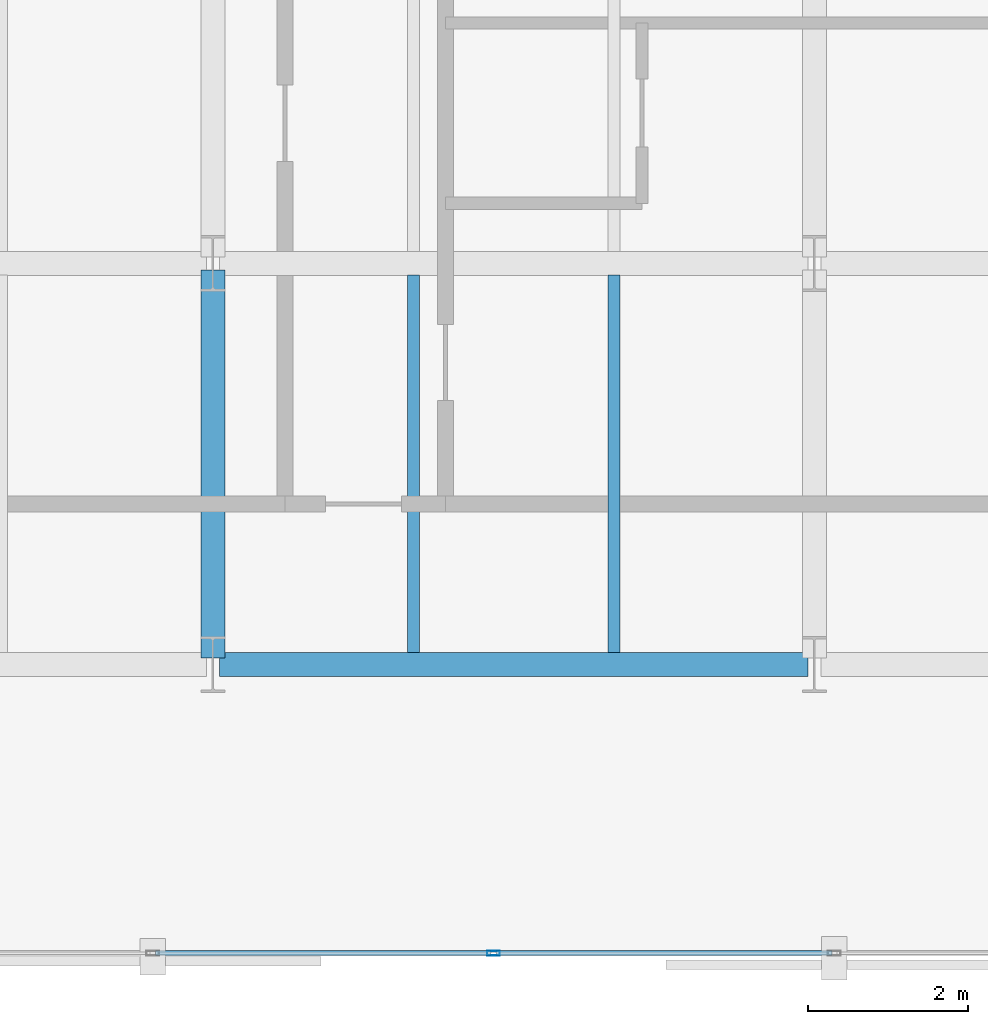
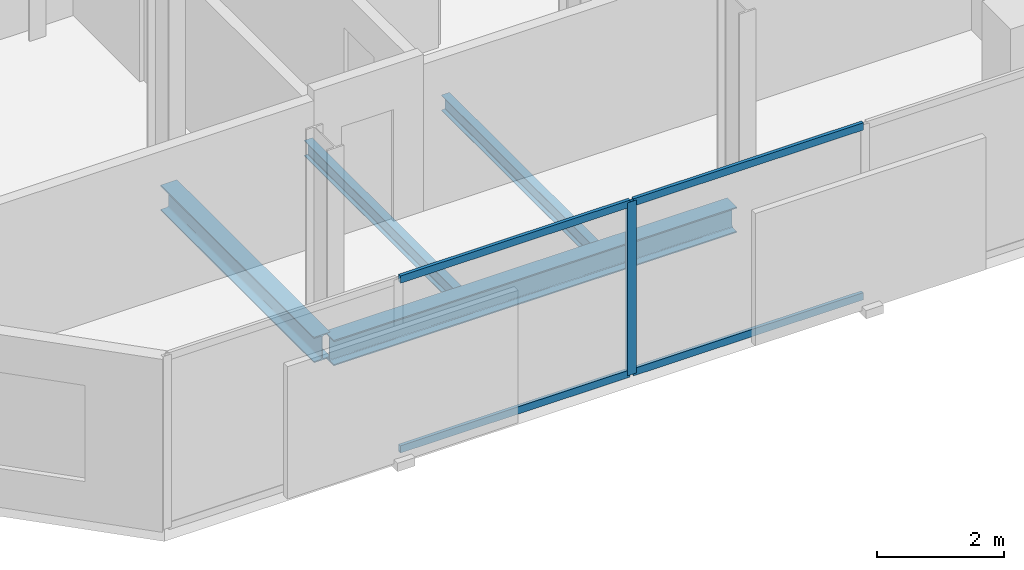
# One storey, part 4 of 34: 5 members, 4 beams, 1 element without a shape of its own.
"""IFC4 building model written with IfcOpenShell, lengths in metres."""

from ifc_helpers import new_model, si_unit, direction, frame, origin, origin_2d, place, context, subcontext, project, spatial, hollow_rectangle, i_section, extrude, material, layer, layer_set, material_profile, profile_set, type_object, element, aggregate, save


model = new_model("IFC4")

# Units and contexts
model_context = context("Model", 3, precision=1e-05, world=origin(), true_north=direction((0.0, 1.0)))
body_context = subcontext(model_context, "Body", "Model", "MODEL_VIEW")
ifc_project = project(units=[si_unit("LENGTHUNIT", "METRE"), si_unit("AREAUNIT", "SQUARE_METRE"), si_unit("VOLUMEUNIT", "CUBIC_METRE"), si_unit("PLANEANGLEUNIT", "RADIAN"), si_unit("MASSUNIT", "GRAM", prefix="KILO")], contexts=[model_context])

# Site, building, storey
site_placement = place(None, origin())
site = spatial("IfcSite", under=ifc_project, at=site_placement, CompositionType="ELEMENT")
building_placement = place(site_placement, origin())
building = spatial("IfcBuilding", under=site, at=building_placement, Name="Catumbela Crestline Tower", CompositionType="ELEMENT")
storey_placement = place(building_placement, frame((0.0, 0.0, 93.6)))
storey = spatial("IfcBuildingStorey", under=building, at=storey_placement, Name="L23", CompositionType="ELEMENT", Elevation=93.6)

# Beams
ifc_material_1 = material(Name="Structural steel S355J2", Category="steel")
ifc_material_profile_1 = material_profile(ifc_material_1, i_section(OverallWidth=0.3, OverallDepth=0.49, WebThickness=0.012, FlangeThickness=0.023, FilletRadius=0.027, at=origin_2d()), Name="HEA 500")
ifc_profile_set_1 = profile_set([ifc_material_profile_1], Name="Structural steel S355J2")
beam_type_1 = type_object("IfcBeamType", Name="BG-HEA500", PredefinedType="BEAM", material=ifc_profile_set_1)
beam_1_placement = place(storey_placement, frame((8.58, 8.6, -0.505), z_axis=(1.0, 0.0, 0.0), x_axis=(0.0, 1.0, 0.0)))
element("IfcBeam", 1, at=beam_1_placement, inside=storey, type_object=beam_type_1, Name="L23 Beam BM-L23-WEW44", PredefinedType="BEAM", context=body_context, shape_type="SweptSolid", body=[
    extrude(i_section(OverallWidth=0.3, OverallDepth=0.49, WebThickness=0.012, FlangeThickness=0.023, FilletRadius=0.027, at=origin_2d()), origin(), (0.0, 0.0, 1.0), 7.34),
])
beam_2_placement = place(storey_placement, frame((8.5, 8.68, -0.505), z_axis=(0.0, 1.0, 0.0), x_axis=(-1.0, 0.0, 0.0)))
element("IfcBeam", 2, at=beam_2_placement, inside=storey, type_object=beam_type_1, Name="L23 Beam BM-L23-WNS55", PredefinedType="BEAM", context=body_context, shape_type="SweptSolid", body=[
    extrude(i_section(OverallWidth=0.3, OverallDepth=0.49, WebThickness=0.012, FlangeThickness=0.023, FilletRadius=0.027, at=origin_2d()), origin(), (0.0, 0.0, 1.0), 4.84),
])
ifc_material_profile_2 = material_profile(ifc_material_1, i_section(OverallWidth=0.15, OverallDepth=0.3, WebThickness=0.0071, FlangeThickness=0.0107, FilletRadius=0.015, at=origin_2d()), Name="IPE 300")
ifc_profile_set_2 = profile_set([ifc_material_profile_2], Name="Structural steel S355J2")
beam_type_2 = type_object("IfcBeamType", Name="BJ-IPE300", PredefinedType="JOIST", material=ifc_profile_set_2)
for number, where, z_axis, x_axis, name in (
    (3, (11.0, 8.747, -0.41), (0.0, 1.0, 0.0), (-1.0, 0.0, 0.0), "L23 Joist JS-L23-WG65"),
    (4, (13.5, 8.747, -0.41), (0.0, 1.0, 0.0), (-1.0, 0.0, 0.0), "L23 Joist JS-L23-WG66"),
):
    element("IfcBeam", number, at=place(storey_placement, frame(where, z_axis=z_axis, x_axis=x_axis)), inside=storey, type_object=beam_type_2, Name=name, PredefinedType="JOIST", context=body_context, shape_type="SweptSolid", body=[
        extrude(i_section(OverallWidth=0.15, OverallDepth=0.3, WebThickness=0.0071, FlangeThickness=0.0107, FilletRadius=0.015, at=origin_2d()), origin(), (0.0, 0.0, 1.0), 4.706),
    ])

# Curtain wall, members
ifc_material_2 = material(Name="Aluminium alloy AW-6060-T66", Category="aluminium")
ifc_layer = layer(ifc_material_2, 0.18, Name="Aluminium alloy AW-6060-T66")
ifc_layer_set = layer_set([ifc_layer], Name="Aluminium alloy AW-6060-T66")
curtain_wall_type = type_object("IfcCurtainWallType", Name="CWU-Z2", PredefinedType="USERDEFINED", material=ifc_layer_set)
curtain_wall_placement = place(storey_placement, origin())
curtain_wall = element("IfcCurtainWall", 5, at=curtain_wall_placement, inside=storey, type_object=curtain_wall_type, Name="L23 Unitised Curtain Wall CW-L23-E0S1", ObjectType="UNITISED", PredefinedType="USERDEFINED")
ifc_material_profile_3 = material_profile(ifc_material_2, hollow_rectangle(XDim=0.06, YDim=0.16, WallThickness=0.004, at=origin_2d()), Name="ALU 160x60x4")
ifc_profile_set_3 = profile_set([ifc_material_profile_3], Name="Aluminium alloy AW-6060-T66")
member_type_1 = type_object("IfcMemberType", Name="MUL-160X60", PredefinedType="MULLION", material=ifc_profile_set_3)
member_1_placement = place(storey_placement, frame((12.0, 5.0, 0.0), z_axis=(0.0, 0.0, 1.0), x_axis=(0.0, 1.0, 0.0)))
member_1 = element("IfcMember", 6, at=member_1_placement, type_object=member_type_1, Name="CWU-Z2 mullion 3", PredefinedType="MULLION", context=body_context, shape_type="SweptSolid", body=[
    extrude(hollow_rectangle(XDim=0.06, YDim=0.16, WallThickness=0.004, at=origin_2d()), origin(), (0.0, 0.0, 1.0), 3.33),
])
ifc_material_profile_4 = material_profile(ifc_material_2, hollow_rectangle(XDim=0.06, YDim=0.14, WallThickness=0.004, at=origin_2d()), Name="ALU 140x60x4")
ifc_profile_set_4 = profile_set([ifc_material_profile_4], Name="Aluminium alloy AW-6060-T66")
member_type_2 = type_object("IfcMemberType", Name="TRN-140X60", PredefinedType="USERDEFINED", material=ifc_profile_set_4)
member_2_placement = place(storey_placement, frame((7.7825, 5.0, 0.03), z_axis=(1.0, 0.0, 0.0), x_axis=(0.0, 1.0, 0.0)))
member_2 = element("IfcMember", 7, at=member_2_placement, type_object=member_type_2, Name="CWU-Z2 transom 2.1", ObjectType="TRANSOM", PredefinedType="USERDEFINED", context=body_context, shape_type="SweptSolid", body=[
    extrude(hollow_rectangle(XDim=0.06, YDim=0.14, WallThickness=0.004, at=origin_2d()), origin(), (0.0, 0.0, 1.0), 4.185),
])
member_3_placement = place(storey_placement, frame((7.7825, 5.0, 3.3), z_axis=(1.0, 0.0, 0.0), x_axis=(0.0, 1.0, 0.0)))
member_3 = element("IfcMember", 8, at=member_3_placement, type_object=member_type_2, Name="CWU-Z2 transom 2.2", ObjectType="TRANSOM", PredefinedType="USERDEFINED", context=body_context, shape_type="SweptSolid", body=[
    extrude(hollow_rectangle(XDim=0.06, YDim=0.14, WallThickness=0.004, at=origin_2d()), origin(), (0.0, 0.0, 1.0), 4.185),
])
member_4_placement = place(storey_placement, frame((12.0325, 5.0, 0.03), z_axis=(1.0, 0.0, 0.0), x_axis=(0.0, 1.0, 0.0)))
member_4 = element("IfcMember", 9, at=member_4_placement, type_object=member_type_2, Name="CWU-Z2 transom 3.1", ObjectType="TRANSOM", PredefinedType="USERDEFINED", context=body_context, shape_type="SweptSolid", body=[
    extrude(hollow_rectangle(XDim=0.06, YDim=0.14, WallThickness=0.004, at=origin_2d()), origin(), (0.0, 0.0, 1.0), 4.185),
])
member_5_placement = place(storey_placement, frame((12.0325, 5.0, 3.3), z_axis=(1.0, 0.0, 0.0), x_axis=(0.0, 1.0, 0.0)))
member_5 = element("IfcMember", 10, at=member_5_placement, type_object=member_type_2, Name="CWU-Z2 transom 3.2", ObjectType="TRANSOM", PredefinedType="USERDEFINED", context=body_context, shape_type="SweptSolid", body=[
    extrude(hollow_rectangle(XDim=0.06, YDim=0.14, WallThickness=0.004, at=origin_2d()), origin(), (0.0, 0.0, 1.0), 4.185),
])
aggregate(curtain_wall, [member_1, member_2, member_3, member_4, member_5])

save(model, "model.ifc")
